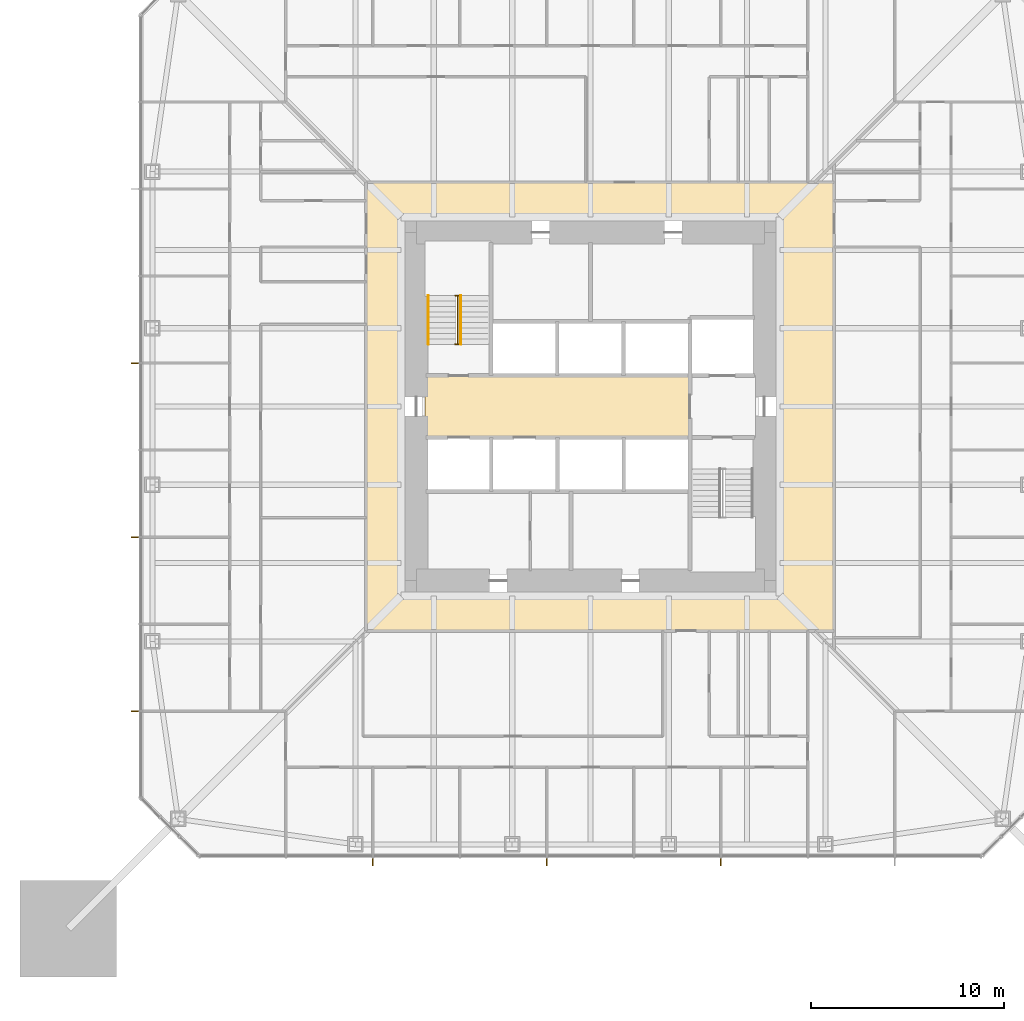
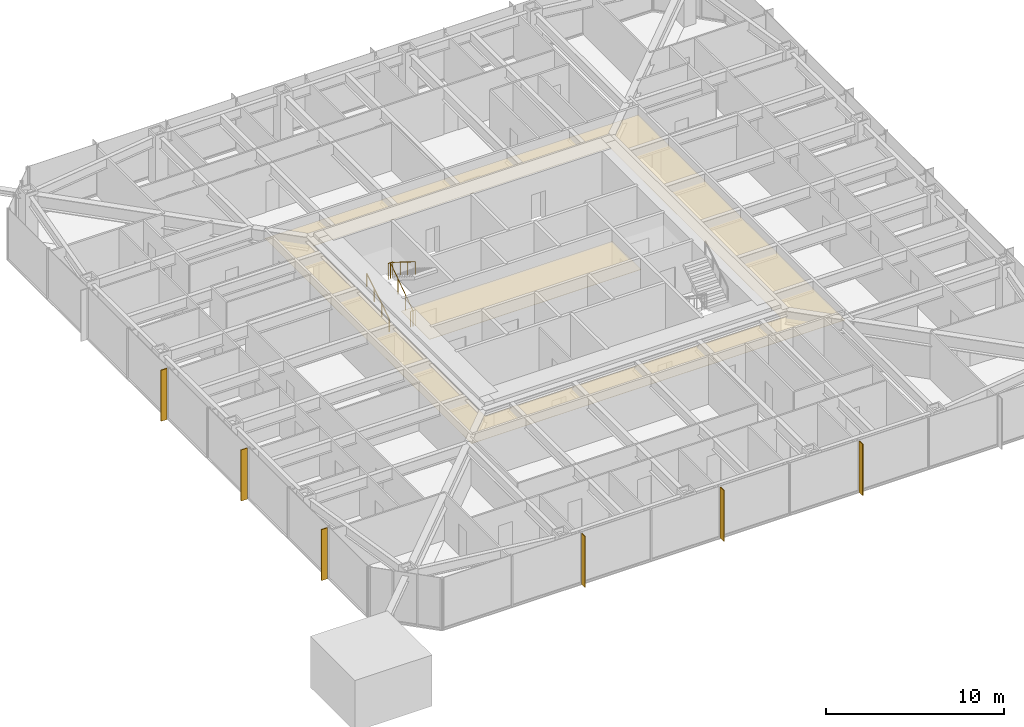
# One storey, part 23 of 26: 6 shading devices, 3 railings, 2 coverings.
"""IFC4 building model written with IfcOpenShell, lengths in metres."""

from ifc_helpers import new_model, si_unit, direction, frame, origin, origin_2d, place, context, subcontext, project, spatial, polyline, rectangle, circle, outline, extrude, material, layer, layer_set, constituent, constituent_set, type_object, element, save


model = new_model("IFC4")

# Units and contexts
model_context = context("Model", 3, precision=1e-05, world=origin(), true_north=direction((0.0, 1.0)))
body_context = subcontext(model_context, "Body", "Model", "MODEL_VIEW")
ifc_project = project(units=[si_unit("LENGTHUNIT", "METRE"), si_unit("AREAUNIT", "SQUARE_METRE"), si_unit("VOLUMEUNIT", "CUBIC_METRE"), si_unit("PLANEANGLEUNIT", "RADIAN"), si_unit("MASSUNIT", "GRAM", prefix="KILO")], contexts=[model_context])

# Site, building, storey
site_placement = place(None, origin())
site = spatial("IfcSite", under=ifc_project, at=site_placement, CompositionType="ELEMENT")
building_placement = place(site_placement, origin())
building = spatial("IfcBuilding", under=site, at=building_placement, Name="Iwan Alto Co-Living Towers", CompositionType="ELEMENT")
storey_placement = place(building_placement, frame((0.0, 0.0, 29.0)))
storey = spatial("IfcBuildingStorey", under=building, at=storey_placement, Name="L07", CompositionType="ELEMENT", Elevation=29.0)

# Covering
ifc_material_1 = material(Name="Mineral fibre acoustic tiles on steel grid", Category="steel")
ifc_layer_1 = layer(ifc_material_1, 0.02001953125)
ifc_layer_set_1 = layer_set([ifc_layer_1], Name="ACOUSTIC TILE CEILING 20")
covering_type_1 = type_object("IfcCoveringType", Name="ACOUSTIC TILE CEILING 20", PredefinedType="CEILING", material=ifc_layer_set_1)
covering_1_placement = place(storey_placement, frame((0.0, 0.0, 2.60009765625)))
element("IfcCovering", 1, at=covering_1_placement, inside=storey, type_object=covering_type_1, Name="Ceiling Lift lobby L07", PredefinedType="CEILING", context=body_context, shape_type="SweptSolid", body=[
    extrude(outline(polyline([(-8.550048828125, -1.60009765625), (-8.550048828125, 1.60009765625), (5.14990234375, 1.60009765625), (5.14990234375, -1.60009765625), (-8.550048828125, -1.60009765625)])), origin(), (0.0, 0.0, 1.0), 0.02001953125),
])

# Shading devices
ifc_material_2 = material(Name="Aluminium 6063-T6 bronze anodised", Category="aluminium")
ifc_layer_2 = layer(ifc_material_2, 0.050048828125)
ifc_layer_set_2 = layer_set([ifc_layer_2], Name="BRONZE FIN 50X400")
shading_device_type = type_object("IfcShadingDeviceType", Name="BRONZE FIN 50X400", PredefinedType="USERDEFINED", material=ifc_layer_set_2)
for number, where, z_axis, x_axis, name in (
    (2, (-11.25, -23.550048828125, 0.0), (0.0, 0.0, 1.0), (1.0, 0.0, 0.0), "Bronze fin L07"),
    (3, (-2.25, -23.550048828125, 0.0), (0.0, 0.0, 1.0), (1.0, 0.0, 0.0), "Bronze fin L07"),
    (4, (6.75, -23.550048828125, 0.0), (0.0, 0.0, 1.0), (1.0, 0.0, 0.0), "Bronze fin L07"),
    (5, (-23.550048828125, 2.25, 0.0), (0.0, 0.0, 1.0), (0.0, -1.0, 0.0), "Bronze fin L07"),
    (6, (-23.550048828125, -6.75, 0.0), (0.0, 0.0, 1.0), (0.0, -1.0, 0.0), "Bronze fin L07"),
    (7, (-23.550048828125, -15.75, 0.0), (0.0, 0.0, 1.0), (0.0, -1.0, 0.0), "Bronze fin L07"),
):
    element("IfcShadingDevice", number, at=place(storey_placement, frame(where, z_axis=z_axis, x_axis=x_axis)), inside=storey, type_object=shading_device_type, Name=name, ObjectType="LOUVER", PredefinedType="USERDEFINED", context=body_context, shape_type="SweptSolid", body=[
        extrude(rectangle(XDim=0.050048828125, YDim=0.39990234375, at=origin_2d()), origin(), (0.0, 0.0, 1.0), 3.5),
    ])

# Railings
ifc_material_3 = material(Name="Steel ASTM A500 Gr C", Category="steel")
ifc_constituent_1 = constituent(ifc_material_3, Name="Rails and posts", Category="Framing")
ifc_material_4 = material(Name="Steel ASTM A36", Category="steel")
ifc_constituent_2 = constituent(ifc_material_4, Name="Bar infill", Category="Infill")
ifc_constituent_set = constituent_set(constituents=[ifc_constituent_1, ifc_constituent_2], Name="STAIR GUARD 1100")
railing_type_1 = type_object("IfcRailingType", Name="STAIR GUARD 1100", PredefinedType="GUARDRAIL", material=ifc_constituent_set)
railing_1_placement = place(storey_placement, frame((-6.85009765625, 3.219970703125, 0.0)))
element("IfcRailing", 8, at=railing_1_placement, inside=storey, type_object=railing_type_1, Name="Stair T1-S1 well guard L07", PredefinedType="GUARDRAIL", context=body_context, shape_type="SweptSolid", body=[
    extrude(circle(Radius=0.02392578125, at=origin_2d()), frame((0.0, 0.0, 1.076171875), z_axis=(0.0, 0.821372036852, 0.570392826987), x_axis=(-1.0, 0.0, 0.0)), (0.0, 0.0, 1.0), 3.068115234375),
    extrude(circle(Radius=0.02392578125, at=origin_2d()), frame((-0.14990234375, 0.0, 1.076171875), z_axis=(1.0, 0.0, 0.0), x_axis=(0.0, 1.0, 0.0)), (0.0, 0.0, 1.0), 0.300048828125),
    extrude(circle(Radius=0.02392578125, at=origin_2d()), frame((-0.14990234375, 2.52001953125, 2.826171875), z_axis=(1.0, 0.0, 0.0), x_axis=(0.0, 1.0, 0.0)), (0.0, 0.0, 1.0), 0.300048828125),
    extrude(circle(Radius=0.02099609375, at=origin_2d()), origin(), (0.0, 0.0, 1.0), 1.052001953125),
    extrude(circle(Radius=0.02099609375, at=origin_2d()), frame((0.0, 0.840087890625, 0.583251953125)), (0.0, 0.0, 1.0), 1.052001953125),
    extrude(circle(Radius=0.02099609375, at=origin_2d()), frame((0.0, 1.679931640625, 1.166748046875)), (0.0, 0.0, 1.0), 1.052001953125),
    extrude(circle(Radius=0.02099609375, at=origin_2d()), frame((0.0, 2.52001953125, 1.75)), (0.0, 0.0, 1.0), 1.052001953125),
    extrude(circle(Radius=0.02099609375, at=origin_2d()), frame((-0.14990234375, 0.0, 0.0)), (0.0, 0.0, 1.0), 1.052001953125),
    extrude(circle(Radius=0.02099609375, at=origin_2d()), frame((0.150146484375, 0.0, 0.0)), (0.0, 0.0, 1.0), 1.052001953125),
    extrude(circle(Radius=0.02099609375, at=origin_2d()), frame((-0.14990234375, 2.52001953125, 1.75)), (0.0, 0.0, 1.0), 1.052001953125),
    extrude(circle(Radius=0.02099609375, at=origin_2d()), frame((0.150146484375, 2.52001953125, 1.75)), (0.0, 0.0, 1.0), 1.052001953125),
])
ifc_material_5 = material(Name="Steel ASTM A500 Gr C", Category="steel")
railing_type_2 = type_object("IfcRailingType", Name="STAIR HANDRAIL 900", PredefinedType="HANDRAIL", material=ifc_material_5)
railing_2_placement = place(storey_placement, frame((-8.3798828125, 3.219970703125, 0.175048828125)))
element("IfcRailing", 9, at=railing_2_placement, inside=storey, type_object=railing_type_2, Name="Stair T1-S1 handrail 1 L07", PredefinedType="HANDRAIL", context=body_context, shape_type="SweptSolid", body=[
    extrude(circle(Radius=0.02392578125, at=origin_2d()), frame((0.0, 0.0, 0.8759765625), z_axis=(0.0, 0.848007534815, 0.529984170421), x_axis=(-1.0, 0.0, 0.0)), (0.0, 0.0, 1.0), 2.9716796875),
    extrude(circle(Radius=0.02099609375, at=origin_2d()), origin(), (0.0, 0.0, 1.0), 0.851806640625),
    extrude(circle(Radius=0.02099609375, at=origin_2d()), frame((0.0, 0.840087890625, 0.52490234375)), (0.0, 0.0, 1.0), 0.851806640625),
    extrude(circle(Radius=0.02099609375, at=origin_2d()), frame((0.0, 1.679931640625, 1.050048828125)), (0.0, 0.0, 1.0), 0.851806640625),
    extrude(circle(Radius=0.02099609375, at=origin_2d()), frame((0.0, 2.52001953125, 1.574951171875)), (0.0, 0.0, 1.0), 0.851806640625),
])
railing_3_placement = place(storey_placement, frame((-6.699951171875, 5.739990234375, 1.925048828125)))
element("IfcRailing", 10, at=railing_3_placement, inside=storey, type_object=railing_type_2, Name="Stair T1-S1 handrail 2 L07", PredefinedType="HANDRAIL", context=body_context, shape_type="SweptSolid", body=[
    extrude(circle(Radius=0.02392578125, at=origin_2d()), frame((0.0, 0.0, 0.8759765625), z_axis=(0.0, -0.848007534815, 0.529984170421), x_axis=(1.0, 0.0, 0.0)), (0.0, 0.0, 1.0), 2.9716796875),
    extrude(circle(Radius=0.02099609375, at=origin_2d()), origin(), (0.0, 0.0, 1.0), 0.851806640625),
    extrude(circle(Radius=0.02099609375, at=origin_2d()), frame((0.0, -0.840087890625, 0.52490234375)), (0.0, 0.0, 1.0), 0.851806640625),
    extrude(circle(Radius=0.02099609375, at=origin_2d()), frame((0.0, -1.679931640625, 1.050048828125)), (0.0, 0.0, 1.0), 0.851806640625),
    extrude(circle(Radius=0.02099609375, at=origin_2d()), frame((0.0, -2.52001953125, 1.574951171875)), (0.0, 0.0, 1.0), 0.851806640625),
])

# Covering
ifc_material_6 = material(Name="Gypsum plasterboard on steel grid", Category="steel")
ifc_layer_3 = layer(ifc_material_6, 0.014892578125)
ifc_layer_set_3 = layer_set([ifc_layer_3], Name="SUSPENDED PLASTERBOARD CEILING 15")
covering_type_2 = type_object("IfcCoveringType", Name="SUSPENDED PLASTERBOARD CEILING 15", PredefinedType="CEILING", material=ifc_layer_set_3)
covering_2_placement = place(storey_placement, frame((0.0, 0.0, 2.60009765625)))
element("IfcCovering", 11, at=covering_2_placement, inside=storey, type_object=covering_type_2, Name="Ceiling Corridor L07", PredefinedType="CEILING", context=body_context, shape_type="SweptSolid", body=[
    extrude(outline(polyline([(-11.60009765625, 11.60009765625), (12.60009765625, 11.60009765625), (12.60009765625, -11.60009765625), (-11.60009765625, -11.60009765625), (-11.60009765625, 11.60009765625)]), holes=[polyline([(-9.60009765625, 9.60009765625), (-9.60009765625, -9.60009765625), (9.60009765625, -9.60009765625), (9.60009765625, 9.60009765625), (-9.60009765625, 9.60009765625)])]), origin(), (0.0, 0.0, 1.0), 0.014892578125),
])

save(model, "model.ifc")
